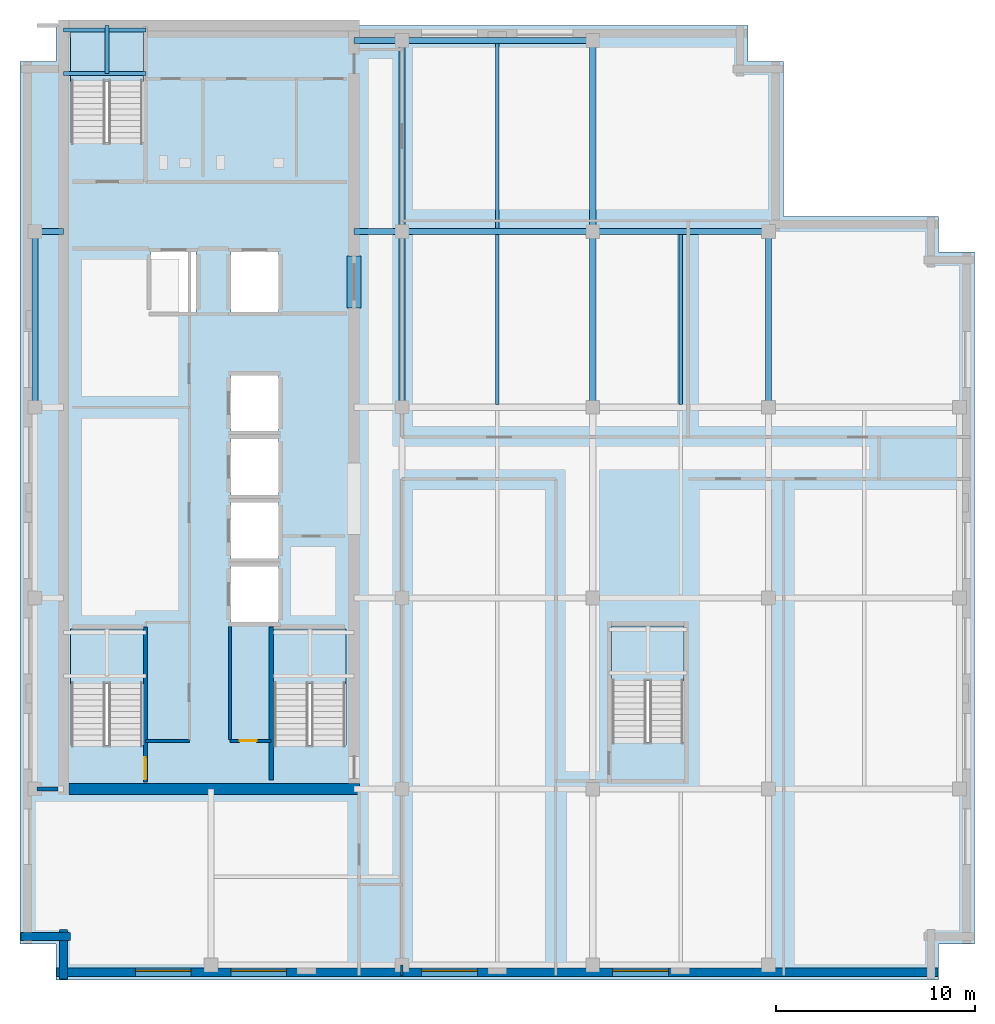
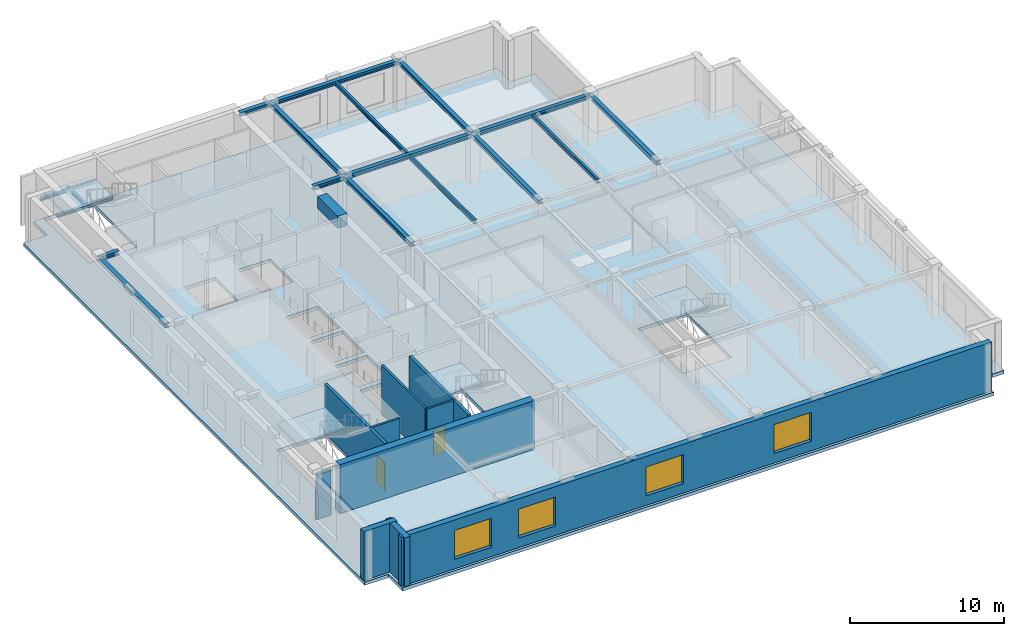
# One storey, part 2 of 10: 19 beams, 11 walls, 5 slabs, 4 windows, 2 doors, 6 openings, 4 elements without a shape of their own.
"""IFC4 building model written with IfcOpenShell, lengths in metres."""

import ifcopenshell
import ifcopenshell.guid

model = None  # the IFC model being written
_history = None  # IfcOwnerHistory: only IFC2X3 demands one
_inside = {}  # id of a spatial element -> (the spatial element, [elements in it])
_under = {}  # id of a project, library or spatial element -> (it, [spatial elements below it])
_declared = {}  # id of a project -> (the project, [libraries it declares])
_typed = {}  # id of a type object -> (the type object, [elements of that type])
_made_of = {}  # id of a material, layer set ... -> (it, [elements and type objects made of it])


def new_model(schema):
    """Start an empty IFC model of exactly this schema.

    Asked for "IFC4X3", IfcOpenShell would pick the latest addendum, in which some entities
    have other attributes; the version numbers below select the first issue.
    IFC2X3 requires an IfcOwnerHistory on every rooted entity: one is made here for all.
    """
    global model, _history
    if schema == "IFC4X3":
        model = ifcopenshell.file(schema_version=(4, 3, 0, 0))
    else:
        model = ifcopenshell.file(schema=schema)
    _inside.clear()
    _under.clear()
    _declared.clear()
    _typed.clear()
    _made_of.clear()
    _history = None
    if model.schema == "IFC2X3":
        org = make("IfcOrganization", Name="unknown")
        user = make(
            "IfcPersonAndOrganization",
            ThePerson=make("IfcPerson", FamilyName="unknown"),
            TheOrganization=org,
        )
        app = make(
            "IfcApplication",
            ApplicationDeveloper=org,
            Version="unknown",
            ApplicationFullName="unknown",
            ApplicationIdentifier="unknown",
        )
        _history = make(
            "IfcOwnerHistory",
            OwningUser=user,
            OwningApplication=app,
            ChangeAction="ADDED",
            CreationDate=0,
        )
    return model


def make(cls, **values):
    """One entity of the class cls with the attributes given. An attribute that is None is left unset."""
    return model.create_entity(
        cls, **{name: value for name, value in values.items() if value is not None}
    )


def rooted(cls, **values):
    """An entity with a GlobalId (a new one), such as an element, a storey or a relation."""
    return make(cls, GlobalId=ifcopenshell.guid.new(), OwnerHistory=_history, **values)


def si_unit(unit_type, name, prefix=None):
    """IfcSIUnit, for example si_unit("LENGTHUNIT", "METRE", prefix="MILLI")."""
    return make("IfcSIUnit", UnitType=unit_type, Prefix=prefix, Name=name)


def assignment(units):
    """IfcUnitAssignment: the units of a project."""
    return None if units is None else make("IfcUnitAssignment", Units=units)


def point(xyz):
    """IfcCartesianPoint."""
    return None if xyz is None else make("IfcCartesianPoint", Coordinates=xyz)


def direction(xyz):
    """IfcDirection."""
    return None if xyz is None else make("IfcDirection", DirectionRatios=xyz)


def frame(location, z_axis=None, x_axis=None):
    """IfcAxis2Placement3D, a coordinate frame: its origin and axes. An axis left out is left unset."""
    return make(
        "IfcAxis2Placement3D",
        Location=point(location),
        Axis=direction(z_axis),
        RefDirection=direction(x_axis),
    )


def frame_2d(location, x_axis=None):
    """IfcAxis2Placement2D, a coordinate frame in the plane: its origin and x axis."""
    return make(
        "IfcAxis2Placement2D", Location=point(location), RefDirection=direction(x_axis)
    )


def origin():
    """The frame at (0, 0, 0) with its axes left unset."""
    return frame((0.0, 0.0, 0.0))


def origin_2d():
    """The frame at (0, 0) in the plane with its x axis left unset."""
    return frame_2d((0.0, 0.0))


def place(relative_to, where):
    """IfcLocalPlacement: puts the frame where relative to a parent placement (None: the world)."""
    return make(
        "IfcLocalPlacement", PlacementRelTo=relative_to, RelativePlacement=where
    )


def context(
    kind, dimensions, precision=None, world=None, true_north=None, identifier=None
):
    """IfcGeometricRepresentationContext, for example the 3D "Model" context."""
    return make(
        "IfcGeometricRepresentationContext",
        ContextIdentifier=identifier,
        ContextType=kind,
        CoordinateSpaceDimension=dimensions,
        Precision=precision,
        WorldCoordinateSystem=world,
        TrueNorth=true_north,
    )


def subcontext(parent, identifier, kind, view, scale=None):
    """IfcGeometricRepresentationSubContext, for example "Body" below "Model"."""
    return make(
        "IfcGeometricRepresentationSubContext",
        ContextIdentifier=identifier,
        ContextType=kind,
        ParentContext=parent,
        TargetScale=scale,
        TargetView=view,
    )


def project(units=None, contexts=None):
    """IfcProject with its units and contexts."""
    return rooted(
        "IfcProject",
        Name="project",
        RepresentationContexts=contexts,
        UnitsInContext=assignment(units),
    )


def spatial(cls, under=None, at=None, **own):
    """A site, building, storey or space (cls), placed at a placement, below another one or the project."""
    s = rooted(cls, ObjectPlacement=at, **own)
    if under is not None:
        _under.setdefault(under.id(), (under, []))[1].append(s)
    return s


def polyline(points):
    """IfcPolyline through the points."""
    return make("IfcPolyline", Points=[point(p) for p in points])


def profile(cls, at=None, kind="AREA", **sizes):
    """A parametric profile (cls). Its sizes go by their IFC names, for example OverallWidth=200.0."""
    return make(cls, ProfileType=kind, Position=at, **sizes)


def rectangle(**sizes):
    """IfcRectangleProfileDef."""
    return profile("IfcRectangleProfileDef", **sizes)


def i_section(**sizes):
    """IfcIShapeProfileDef."""
    return profile("IfcIShapeProfileDef", **sizes)


def outline(outer, holes=None, kind="AREA"):
    """IfcArbitraryClosedProfileDef: a profile drawn as a closed curve; with holes, ...WithVoids."""
    if holes is None:
        return make("IfcArbitraryClosedProfileDef", ProfileType=kind, OuterCurve=outer)
    return make(
        "IfcArbitraryProfileDefWithVoids",
        ProfileType=kind,
        OuterCurve=outer,
        InnerCurves=holes,
    )


def extrude(swept, where, along, depth):
    """IfcExtrudedAreaSolid: the profile swept, set in the frame where, extruded along a direction by depth."""
    return make(
        "IfcExtrudedAreaSolid",
        SweptArea=swept,
        Position=where,
        ExtrudedDirection=direction(along),
        Depth=depth,
    )


def shape(context_of_items, identifier, shape_type, items):
    """IfcShapeRepresentation: the items that make up one representation, for example the "Body"."""
    return make(
        "IfcShapeRepresentation",
        ContextOfItems=context_of_items,
        RepresentationIdentifier=identifier,
        RepresentationType=shape_type,
        Items=items,
    )


def material(Name=None, Category=None):
    """IfcMaterial."""
    return make("IfcMaterial", Name=Name, Category=Category)


def layer(
    of_material, thickness, ventilated=None, Name=None, Category=None, Priority=None
):
    """IfcMaterialLayer: one layer of a wall or slab, of a material (None: an air gap)."""
    return make(
        "IfcMaterialLayer",
        Material=of_material,
        LayerThickness=thickness,
        IsVentilated=ventilated,
        Name=Name,
        Category=Category,
        Priority=Priority,
    )


def layer_set(layers, Name=None):
    """IfcMaterialLayerSet."""
    return make("IfcMaterialLayerSet", MaterialLayers=layers, LayerSetName=Name)


def material_profile(
    of_material, cross_section, Name=None, Category=None, Priority=None
):
    """IfcMaterialProfile: a cross section and its material."""
    return make(
        "IfcMaterialProfile",
        Name=Name,
        Material=of_material,
        Profile=cross_section,
        Priority=Priority,
        Category=Category,
    )


def profile_set(profiles, Name=None, composite=None):
    """IfcMaterialProfileSet."""
    return make(
        "IfcMaterialProfileSet",
        Name=Name,
        MaterialProfiles=profiles,
        CompositeProfile=composite,
    )


def made_of(thing, what):
    """Note that an element or type object is made of a material, layer set ...; save() writes the relation."""
    if what is not None:
        _made_of.setdefault(what.id(), (what, []))[1].append(thing)
    return thing


def type_object(cls, material=None, **own):
    """A type object (cls), such as IfcWallType, which elements share."""
    return made_of(rooted(cls, **own), material)


def element(
    cls,
    number,
    at=None,
    inside=None,
    cuts=None,
    type_object=None,
    material=None,
    context=None,
    identifier="Body",
    shape_type=None,
    held_by="IfcProductDefinitionShape",
    body=None,
    shapes=None,
    **own,
):
    """One element of the class cls, such as IfcWall. Its Tag is "e" and its number.

    at: its placement. inside: the storey or other place that contains it. cuts: it is an
    opening in that element (IfcRelVoidsElement). A single representation is given by context,
    identifier, shape_type and body (its items); several are given by shapes. held_by: the class
    of the entity that holds the representations. save() writes the other relations.
    """
    e = rooted(cls, Tag="e%d" % number, ObjectPlacement=at, **own)
    if body is not None:
        shapes = [shape(context, identifier, shape_type, body)]
    if shapes is not None:
        e.Representation = make(held_by, Representations=shapes)
    if inside is not None:
        _inside.setdefault(inside.id(), (inside, []))[1].append(e)
    if cuts is not None:
        rooted(
            "IfcRelVoidsElement", RelatingBuildingElement=cuts, RelatedOpeningElement=e
        )
    if type_object is not None:
        _typed.setdefault(type_object.id(), (type_object, []))[1].append(e)
    return made_of(e, material)


def fill(opening, filler):
    """IfcRelFillsElement: the door or window that sits in an opening."""
    return rooted(
        "IfcRelFillsElement",
        RelatingOpeningElement=opening,
        RelatedBuildingElement=filler,
    )


def aggregate(whole, parts):
    """IfcRelAggregates: a whole, such as a stair, and the parts it consists of."""
    return rooted("IfcRelAggregates", RelatingObject=whole, RelatedObjects=parts)


def save(model, path):
    """Write the relations noted so far, then the file.

    IfcRelAggregates (storeys below a building ...), IfcRelContainedInSpatialStructure (elements
    in a storey), IfcRelDefinesByType, IfcRelAssociatesMaterial and IfcRelDeclares: one each for
    every whole, place, type object, material and project.
    """
    for whole, parts in _under.values():
        aggregate(whole, parts)
    for where, things in _inside.values():
        rooted(
            "IfcRelContainedInSpatialStructure",
            RelatedElements=things,
            RelatingStructure=where,
        )
    for kind, things in _typed.values():
        rooted("IfcRelDefinesByType", RelatedObjects=things, RelatingType=kind)
    for what, things in _made_of.values():
        rooted("IfcRelAssociatesMaterial", RelatedObjects=things, RelatingMaterial=what)
    for by, libraries in _declared.values():
        rooted("IfcRelDeclares", RelatingContext=by, RelatedDefinitions=libraries)
    model.write(path)


model = new_model("IFC4")

# Units and contexts
model_context = context("Model", 3, precision=1e-05, world=origin(), true_north=direction((0.0, 1.0)))
body_context = subcontext(model_context, "Body", "Model", "MODEL_VIEW")
ifc_project = project(units=[si_unit("LENGTHUNIT", "METRE"), si_unit("AREAUNIT", "SQUARE_METRE"), si_unit("VOLUMEUNIT", "CUBIC_METRE"), si_unit("PLANEANGLEUNIT", "RADIAN"), si_unit("MASSUNIT", "GRAM", prefix="KILO")], contexts=[model_context])

# Site, building, storey
site_placement = place(None, origin())
site = spatial("IfcSite", under=ifc_project, at=site_placement, CompositionType="ELEMENT")
building_placement = place(site_placement, origin())
building = spatial("IfcBuilding", under=site, at=building_placement, Name="Norrvale University Quadrangle", CompositionType="ELEMENT")
storey_placement = place(building_placement, frame((0.0, 0.0, 303.800048828125)))
storey = spatial("IfcBuildingStorey", under=building, at=storey_placement, Name="L77", CompositionType="ELEMENT", Elevation=303.800048828125)

# Beams
ifc_material_1 = material(Name="Steel 350W", Category="steel")
ifc_material_profile_1 = material_profile(ifc_material_1, i_section(OverallWidth=0.1669921875, OverallDepth=0.31689453125, WebThickness=0.007568359375, FlangeThickness=0.01318359375, FilletRadius=0.010009765625, at=origin_2d()), Name="Steel 350W")
ifc_profile_set_1 = profile_set([ifc_material_profile_1], Name="Steel 350W")
beam_type_1 = type_object("IfcBeamType", Name="Beam Canopy Purlin W310x52", PredefinedType="USERDEFINED", material=ifc_profile_set_1)
beam_1_placement = place(storey_placement, frame((24.0, 28.952392578125, 3.721435546875), z_axis=(0.0, 1.0, 0.0), x_axis=(-1.0, 0.0, 0.0)))
element("IfcBeam", 1, at=beam_1_placement, inside=storey, type_object=beam_type_1, Name="Beam Canopy Purlin W310x52 BM-L77-J047", ObjectType="PURLIN", PredefinedType="USERDEFINED", context=body_context, shape_type="SweptSolid", body=[
    extrude(i_section(OverallWidth=0.1669921875, OverallDepth=0.31689453125, WebThickness=0.007568359375, FlangeThickness=0.01318359375, FilletRadius=0.010009765625, at=origin_2d()), origin(), (0.0, 0.0, 1.0), 8.545166015625),
])
beam_2_placement = place(storey_placement, frame((24.0, 37.802490234375, 3.721435546875), z_axis=(0.0, 1.0, 0.0), x_axis=(-1.0, 0.0, 0.0)))
element("IfcBeam", 2, at=beam_2_placement, inside=storey, type_object=beam_type_1, Name="Beam Canopy Purlin W310x52 BM-L77-J048", ObjectType="PURLIN", PredefinedType="USERDEFINED", context=body_context, shape_type="SweptSolid", body=[
    extrude(i_section(OverallWidth=0.1669921875, OverallDepth=0.31689453125, WebThickness=0.007568359375, FlangeThickness=0.01318359375, FilletRadius=0.010009765625, at=origin_2d()), origin(), (0.0, 0.0, 1.0), 9.294921875),
])
beam_3_placement = place(storey_placement, frame((33.22509765625, 28.952392578125, 3.721435546875), z_axis=(0.0, 1.0, 0.0), x_axis=(-1.0, 0.0, 0.0)))
element("IfcBeam", 3, at=beam_3_placement, inside=storey, type_object=beam_type_1, Name="Beam Canopy Purlin W310x52 BM-L77-J051", ObjectType="PURLIN", PredefinedType="USERDEFINED", context=body_context, shape_type="SweptSolid", body=[
    extrude(i_section(OverallWidth=0.1669921875, OverallDepth=0.31689453125, WebThickness=0.007568359375, FlangeThickness=0.01318359375, FilletRadius=0.010009765625, at=origin_2d()), origin(), (0.0, 0.0, 1.0), 8.545166015625),
])
ifc_material_profile_2 = material_profile(ifc_material_1, i_section(OverallWidth=0.304931640625, OverallDepth=0.30810546875, WebThickness=0.010009765625, FlangeThickness=0.015380859375, FilletRadius=0.014892578125, at=origin_2d()), Name="Steel 350W")
ifc_profile_set_2 = profile_set([ifc_material_profile_2], Name="Steel 350W")
beam_type_2 = type_object("IfcBeamType", Name="Beam Canopy W310x97", PredefinedType="BEAM", material=ifc_profile_set_2)
beam_4_placement = place(storey_placement, frame((19.199951171875, 37.64990234375, 3.725830078125), z_axis=(1.0, 0.0, 0.0), x_axis=(0.0, 1.0, 0.0)))
element("IfcBeam", 4, at=beam_4_placement, inside=storey, type_object=beam_type_2, Name="Beam Canopy W310x97 BM-L77-GX013", PredefinedType="BEAM", context=body_context, shape_type="SweptSolid", body=[
    extrude(i_section(OverallWidth=0.304931640625, OverallDepth=0.30810546875, WebThickness=0.010009765625, FlangeThickness=0.015380859375, FilletRadius=0.014892578125, at=origin_2d()), origin(), (0.0, 0.0, 1.0), 9.60009765625),
])
beam_5_placement = place(storey_placement, frame((28.800048828125, 37.64990234375, 3.725830078125), z_axis=(1.0, 0.0, 0.0), x_axis=(0.0, 1.0, 0.0)))
element("IfcBeam", 5, at=beam_5_placement, inside=storey, type_object=beam_type_2, Name="Beam Canopy W310x97 BM-L77-GX014", PredefinedType="BEAM", context=body_context, shape_type="SweptSolid", body=[
    extrude(i_section(OverallWidth=0.304931640625, OverallDepth=0.30810546875, WebThickness=0.010009765625, FlangeThickness=0.015380859375, FilletRadius=0.014892578125, at=origin_2d()), origin(), (0.0, 0.0, 1.0), 8.849853515625),
])
beam_6_placement = place(storey_placement, frame((19.199951171875, 47.25, 3.725830078125), z_axis=(1.0, 0.0, 0.0), x_axis=(0.0, 1.0, 0.0)))
element("IfcBeam", 6, at=beam_6_placement, inside=storey, type_object=beam_type_2, Name="Beam Canopy W310x97 BM-L77-GX015", PredefinedType="BEAM", context=body_context, shape_type="SweptSolid", body=[
    extrude(i_section(OverallWidth=0.304931640625, OverallDepth=0.30810546875, WebThickness=0.010009765625, FlangeThickness=0.015380859375, FilletRadius=0.014892578125, at=origin_2d()), origin(), (0.0, 0.0, 1.0), 9.60009765625),
])
for number, where, z_axis, x_axis, name in (
    (7, (0.75, 28.800048828125, 3.725830078125), (0.0, 1.0, 0.0), (-1.0, 0.0, 0.0), "Beam Canopy W310x97 BM-L77-GY018"),
    (8, (19.199951171875, 28.800048828125, 3.725830078125), (0.0, 1.0, 0.0), (-1.0, 0.0, 0.0), "Beam Canopy W310x97 BM-L77-GY022"),
):
    element("IfcBeam", number, at=place(storey_placement, frame(where, z_axis=z_axis, x_axis=x_axis)), inside=storey, type_object=beam_type_2, Name=name, PredefinedType="BEAM", context=body_context, shape_type="SweptSolid", body=[
        extrude(i_section(OverallWidth=0.304931640625, OverallDepth=0.30810546875, WebThickness=0.010009765625, FlangeThickness=0.015380859375, FilletRadius=0.014892578125, at=origin_2d()), origin(), (0.0, 0.0, 1.0), 8.849853515625),
    ])
beam_7_placement = place(storey_placement, frame((19.199951171875, 37.64990234375, 3.725830078125), z_axis=(0.0, 1.0, 0.0), x_axis=(-1.0, 0.0, 0.0)))
element("IfcBeam", 9, at=beam_7_placement, inside=storey, type_object=beam_type_2, Name="Beam Canopy W310x97 BM-L77-GY023", PredefinedType="BEAM", context=body_context, shape_type="SweptSolid", body=[
    extrude(i_section(OverallWidth=0.304931640625, OverallDepth=0.30810546875, WebThickness=0.010009765625, FlangeThickness=0.015380859375, FilletRadius=0.014892578125, at=origin_2d()), origin(), (0.0, 0.0, 1.0), 9.60009765625),
])
beam_8_placement = place(storey_placement, frame((28.800048828125, 28.800048828125, 3.725830078125), z_axis=(0.0, 1.0, 0.0), x_axis=(-1.0, 0.0, 0.0)))
element("IfcBeam", 10, at=beam_8_placement, inside=storey, type_object=beam_type_2, Name="Beam Canopy W310x97 BM-L77-GY027", PredefinedType="BEAM", context=body_context, shape_type="SweptSolid", body=[
    extrude(i_section(OverallWidth=0.304931640625, OverallDepth=0.30810546875, WebThickness=0.010009765625, FlangeThickness=0.015380859375, FilletRadius=0.014892578125, at=origin_2d()), origin(), (0.0, 0.0, 1.0), 8.849853515625),
])
beam_9_placement = place(storey_placement, frame((28.800048828125, 37.64990234375, 3.725830078125), z_axis=(0.0, 1.0, 0.0), x_axis=(-1.0, 0.0, 0.0)))
element("IfcBeam", 11, at=beam_9_placement, inside=storey, type_object=beam_type_2, Name="Beam Canopy W310x97 BM-L77-GY028", PredefinedType="BEAM", context=body_context, shape_type="SweptSolid", body=[
    extrude(i_section(OverallWidth=0.304931640625, OverallDepth=0.30810546875, WebThickness=0.010009765625, FlangeThickness=0.015380859375, FilletRadius=0.014892578125, at=origin_2d()), origin(), (0.0, 0.0, 1.0), 9.60009765625),
])
beam_10_placement = place(storey_placement, frame((37.64990234375, 28.800048828125, 3.725830078125), z_axis=(0.0, 1.0, 0.0), x_axis=(-1.0, 0.0, 0.0)))
element("IfcBeam", 12, at=beam_10_placement, inside=storey, type_object=beam_type_2, Name="Beam Canopy W310x97 BM-L77-GY032", PredefinedType="BEAM", context=body_context, shape_type="SweptSolid", body=[
    extrude(i_section(OverallWidth=0.304931640625, OverallDepth=0.30810546875, WebThickness=0.010009765625, FlangeThickness=0.015380859375, FilletRadius=0.014892578125, at=origin_2d()), origin(), (0.0, 0.0, 1.0), 8.849853515625),
])
beam_11_placement = place(storey_placement, frame((0.75, 37.64990234375, 3.725830078125), z_axis=(1.0, 0.0, 0.0), x_axis=(0.0, 1.0, 0.0)))
element("IfcBeam", 13, at=beam_11_placement, inside=storey, type_object=beam_type_2, Name="Beam Canopy W310x97 BM-L77-GCW041", PredefinedType="BEAM", context=body_context, shape_type="SweptSolid", body=[
    extrude(i_section(OverallWidth=0.304931640625, OverallDepth=0.30810546875, WebThickness=0.010009765625, FlangeThickness=0.015380859375, FilletRadius=0.014892578125, at=origin_2d()), origin(), (0.0, 0.0, 1.0), 1.449951171875),
])
for number, where, z_axis, x_axis, name in (
    (14, (16.800048828125, 37.64990234375, 3.725830078125), (1.0, 0.0, 0.0), (0.0, 1.0, 0.0), "Beam Canopy W310x97 BM-L77-GCE042"),
    (15, (16.800048828125, 47.25, 3.725830078125), (1.0, 0.0, 0.0), (0.0, 1.0, 0.0), "Beam Canopy W310x97 BM-L77-GCE043"),
):
    element("IfcBeam", number, at=place(storey_placement, frame(where, z_axis=z_axis, x_axis=x_axis)), inside=storey, type_object=beam_type_2, Name=name, PredefinedType="BEAM", context=body_context, shape_type="SweptSolid", body=[
        extrude(i_section(OverallWidth=0.304931640625, OverallDepth=0.30810546875, WebThickness=0.010009765625, FlangeThickness=0.015380859375, FilletRadius=0.014892578125, at=origin_2d()), origin(), (0.0, 0.0, 1.0), 2.39990234375),
    ])
ifc_material_2 = material(Name="Concrete C80/95", Category="concrete")
ifc_material_profile_3 = material_profile(ifc_material_2, rectangle(XDim=0.699951171875, YDim=0.949951171875, at=origin_2d()), Name="Concrete C80/95")
ifc_profile_set_3 = profile_set([ifc_material_profile_3], Name="Concrete C80/95")
beam_type_3 = type_object("IfcBeamType", Name="Beam Core Link 700x950", PredefinedType="LINTEL", material=ifc_profile_set_3)
beam_12_placement = place(storey_placement, frame((16.800048828125, 33.800048828125, 3.405029296875), z_axis=(0.0, 1.0, 0.0), x_axis=(-1.0, 0.0, 0.0)))
element("IfcBeam", 16, at=beam_12_placement, inside=storey, type_object=beam_type_3, Name="Core Coupling Lintel Beam L77-2", PredefinedType="LINTEL", context=body_context, shape_type="SweptSolid", body=[
    extrude(rectangle(XDim=0.699951171875, YDim=0.949951171875, at=origin_2d()), origin(), (0.0, 0.0, 1.0), 2.599853515625),
])
ifc_material_profile_4 = material_profile(ifc_material_1, i_section(OverallWidth=0.201904296875, OverallDepth=0.2470703125, WebThickness=0.00732421875, FlangeThickness=0.010986328125, FilletRadius=0.011962890625, at=origin_2d()), Name="Steel 350W")
ifc_profile_set_4 = profile_set([ifc_material_profile_4], Name="Steel 350W")
beam_type_4 = type_object("IfcBeamType", Name="Beam Stair W250x49", PredefinedType="BEAM", material=ifc_profile_set_4)
for number, where, z_axis, x_axis, name in (
    (17, (2.199951171875, 45.580078125, 1.7763671875), (1.0, 0.0, 0.0), (0.0, 1.0, 0.0), "Stair Mid-Landing Front Beam ST-02 L77"),
    (18, (2.199951171875, 47.77001953125, 1.7763671875), (1.0, 0.0, 0.0), (0.0, 1.0, 0.0), "Stair Mid-Landing Rear Beam ST-02 L77"),
):
    element("IfcBeam", number, at=place(storey_placement, frame(where, z_axis=z_axis, x_axis=x_axis)), inside=storey, type_object=beam_type_4, Name=name, PredefinedType="BEAM", context=body_context, shape_type="SweptSolid", body=[
        extrude(i_section(OverallWidth=0.201904296875, OverallDepth=0.2470703125, WebThickness=0.00732421875, FlangeThickness=0.010986328125, FilletRadius=0.011962890625, at=origin_2d()), origin(), (0.0, 0.0, 1.0), 4.14013671875),
    ])
ifc_material_profile_5 = material_profile(ifc_material_1, i_section(OverallWidth=0.202880859375, OverallDepth=0.202880859375, WebThickness=0.007080078125, FlangeThickness=0.010986328125, FilletRadius=0.010009765625, at=origin_2d()), Name="Steel 350W")
ifc_profile_set_5 = profile_set([ifc_material_profile_5], Name="Steel 350W")
beam_type_5 = type_object("IfcBeamType", Name="Beam Trim W200x46", PredefinedType="BEAM", material=ifc_profile_set_5)
beam_13_placement = place(storey_placement, frame((4.375, 45.580078125, 1.79833984375), z_axis=(0.0, 1.0, 0.0), x_axis=(-1.0, 0.0, 0.0)))
element("IfcBeam", 19, at=beam_13_placement, inside=storey, type_object=beam_type_5, Name="Stair Mid-Landing Cross Beam ST-02 L77", PredefinedType="BEAM", context=body_context, shape_type="SweptSolid", body=[
    extrude(i_section(OverallWidth=0.202880859375, OverallDepth=0.202880859375, WebThickness=0.007080078125, FlangeThickness=0.010986328125, FilletRadius=0.010009765625, at=origin_2d()), origin(), (0.0, 0.0, 1.0), 2.419921875),
])

# Stair, slab
ifc_material_3 = material(Name="Concrete C40/50", Category="concrete")
stair_type = type_object("IfcStairType", Name="Stair Tower Top 4200", PredefinedType="TWO_STRAIGHT_RUN_STAIR", material=ifc_material_3)
stair_1_placement = place(storey_placement, origin())
stair_1 = element("IfcStair", 20, at=stair_1_placement, inside=storey, type_object=stair_type, Name="Exit Stair ST-01 L77", PredefinedType="TWO_STRAIGHT_RUN_STAIR")
ifc_layer_1 = layer(ifc_material_3, 0.199951171875, Name="Concrete C40/50")
ifc_layer_set_1 = layer_set([ifc_layer_1], Name="Concrete C40/50")
slab_type_1 = type_object("IfcSlabType", Name="Slab Landing 200", PredefinedType="LANDING", material=ifc_layer_set_1)
slab_1_placement = place(storey_placement, frame((0.0, 0.0, 1.89990234375)))
slab_1 = element("IfcSlab", 21, at=slab_1_placement, type_object=slab_type_1, Name="Exit Stair ST-01 L77 Mid Landing", PredefinedType="LANDING", context=body_context, shape_type="SweptSolid", body=[
    extrude(outline(polyline([(2.550048828125, 14.8798828125), (6.199951171875, 14.8798828125), (6.199951171875, 17.64990234375), (2.550048828125, 17.64990234375), (2.550048828125, 14.8798828125)])), origin(), (0.0, 0.0, 1.0), 0.199951171875),
])
aggregate(stair_1, [slab_1])

stair_2_placement = place(storey_placement, origin())
stair_2 = element("IfcStair", 22, at=stair_2_placement, inside=storey, type_object=stair_type, Name="Exit Stair ST-02 L77", PredefinedType="TWO_STRAIGHT_RUN_STAIR")
slab_2_placement = place(storey_placement, frame((0.0, 0.0, 1.89990234375)))
slab_2 = element("IfcSlab", 23, at=slab_2_placement, type_object=slab_type_1, Name="Exit Stair ST-02 L77 Mid Landing", PredefinedType="LANDING", context=body_context, shape_type="SweptSolid", body=[
    extrude(outline(polyline([(2.550048828125, 45.179931640625), (6.199951171875, 45.179931640625), (6.199951171875, 47.949951171875), (2.550048828125, 47.949951171875), (2.550048828125, 45.179931640625)])), origin(), (0.0, 0.0, 1.0), 0.199951171875),
])
aggregate(stair_2, [slab_2])

stair_3_placement = place(storey_placement, origin())
stair_3 = element("IfcStair", 24, at=stair_3_placement, inside=storey, type_object=stair_type, Name="Exit Stair ST-03 L77", PredefinedType="TWO_STRAIGHT_RUN_STAIR")
slab_3_placement = place(storey_placement, frame((0.0, 0.0, 1.89990234375)))
slab_3 = element("IfcSlab", 25, at=slab_3_placement, type_object=slab_type_1, Name="Exit Stair ST-03 L77 Mid Landing", PredefinedType="LANDING", context=body_context, shape_type="SweptSolid", body=[
    extrude(outline(polyline([(12.75, 14.8798828125), (16.39990234375, 14.8798828125), (16.39990234375, 17.64990234375), (12.75, 17.64990234375), (12.75, 14.8798828125)])), origin(), (0.0, 0.0, 1.0), 0.199951171875),
])
aggregate(stair_3, [slab_3])

stair_4_placement = place(storey_placement, origin())
stair_4 = element("IfcStair", 26, at=stair_4_placement, inside=storey, type_object=stair_type, Name="Exit Stair ST-04 L77", PredefinedType="TWO_STRAIGHT_RUN_STAIR")
slab_4_placement = place(storey_placement, frame((0.0, 0.0, 1.89990234375)))
slab_4 = element("IfcSlab", 27, at=slab_4_placement, type_object=slab_type_1, Name="Exit Stair ST-04 L77 Mid Landing", PredefinedType="LANDING", context=body_context, shape_type="SweptSolid", body=[
    extrude(outline(polyline([(29.75, 15.030029296875), (33.39990234375, 15.030029296875), (33.39990234375, 17.800048828125), (29.75, 17.800048828125), (29.75, 15.030029296875)])), origin(), (0.0, 0.0, 1.0), 0.199951171875),
])
aggregate(stair_4, [slab_4])

# Slab
ifc_layer_2 = layer(ifc_material_3, 0.260009765625, Name="Concrete C40/50")
ifc_layer_set_2 = layer_set([ifc_layer_2], Name="Concrete C40/50")
slab_type_2 = type_object("IfcSlabType", Name="Slab Tower Typ 260", PredefinedType="FLOOR", material=ifc_layer_set_2)
slab_5_placement = place(storey_placement, frame((0.0, 0.0, -0.260009765625)))
element("IfcSlab", 28, at=slab_5_placement, inside=storey, type_object=slab_type_2, Name="Tower L77 Floor Slab", PredefinedType="FLOOR", context=body_context, shape_type="SweptSolid", body=[
    extrude(outline(polyline([(1.800048828125, 0.0), (46.199951171875, 0.0), (46.199951171875, 1.800048828125), (48.0, 1.800048828125), (48.0, 36.60009765625), (46.199951171875, 36.60009765625), (46.199951171875, 38.39990234375), (38.39990234375, 38.39990234375), (38.39990234375, 46.199951171875), (36.60009765625, 46.199951171875), (36.60009765625, 48.0), (1.800048828125, 48.0), (1.800048828125, 46.199951171875), (0.0, 46.199951171875), (0.0, 1.800048828125), (1.800048828125, 1.800048828125), (1.800048828125, 0.0)]), holes=[polyline([(2.550048828125, 11.81005859375), (6.199951171875, 11.81005859375), (6.199951171875, 17.64990234375), (2.550048828125, 17.64990234375), (2.550048828125, 11.81005859375)]), polyline([(2.550048828125, 42.110107421875), (6.199951171875, 42.110107421875), (6.199951171875, 47.949951171875), (2.550048828125, 47.949951171875), (2.550048828125, 42.110107421875)]), polyline([(12.75, 11.81005859375), (16.39990234375, 11.81005859375), (16.39990234375, 17.64990234375), (12.75, 17.64990234375), (12.75, 11.81005859375)]), polyline([(29.75, 11.9599609375), (33.39990234375, 11.9599609375), (33.39990234375, 17.800048828125), (29.75, 17.800048828125), (29.75, 11.9599609375)]), polyline([(10.60009765625, 18.0), (13.0, 18.0), (13.0, 20.800048828125), (10.60009765625, 20.800048828125), (10.60009765625, 18.0)]), polyline([(10.60009765625, 21.199951171875), (13.0, 21.199951171875), (13.0, 24.0), (10.60009765625, 24.0), (10.60009765625, 21.199951171875)]), polyline([(10.60009765625, 24.39990234375), (13.0, 24.39990234375), (13.0, 27.199951171875), (10.60009765625, 27.199951171875), (10.60009765625, 24.39990234375)]), polyline([(10.60009765625, 27.60009765625), (13.0, 27.60009765625), (13.0, 30.39990234375), (10.60009765625, 30.39990234375), (10.60009765625, 27.60009765625)]), polyline([(6.60009765625, 33.60009765625), (8.85009765625, 33.60009765625), (8.85009765625, 36.60009765625), (6.60009765625, 36.60009765625), (6.60009765625, 33.60009765625)]), polyline([(10.60009765625, 33.60009765625), (13.0, 33.60009765625), (13.0, 36.60009765625), (10.60009765625, 36.60009765625), (10.60009765625, 33.60009765625)])]), origin(), (0.0, 0.0, 1.0), 0.260009765625),
])

# Wall, openings, windows
ifc_material_4 = material(Name="Buff Norman Clay Brick Masonry", Category="masonry")
ifc_layer_3 = layer(ifc_material_4, 0.419921875, Name="Buff Norman Clay Brick Masonry")
ifc_layer_set_3 = layer_set([ifc_layer_3], Name="Buff Norman Clay Brick Masonry")
wall_type_1 = type_object("IfcWallType", Name="Wall Buff Brick 420", PredefinedType="SOLIDWALL", material=ifc_layer_set_3)
wall_1_placement = place(storey_placement, frame((1.840087890625, 0.389892578125, 0.0), z_axis=(0.0, 0.0, 1.0), x_axis=(1.0, 0.0, 0.0)))
wall_1 = element("IfcWall", 29, at=wall_1_placement, inside=storey, type_object=wall_type_1, Name="Exterior Brick Facade Wall L77-01.1", PredefinedType="SOLIDWALL", context=body_context, shape_type="SweptSolid", body=[
    extrude(rectangle(XDim=44.31982421875, YDim=0.419921875, at=frame_2d((22.159912109375, 0.0))), origin(), (0.0, 0.0, 1.0), 3.8798828125),
])
opening_1_placement = place(wall_1_placement, frame((3.9599609375, 0.0, 0.75)))
opening_1 = element("IfcOpeningElement", 30, at=opening_1_placement, cuts=wall_1, Name="Opening W05", PredefinedType="OPENING", context=body_context, shape_type="SweptSolid", body=[
    extrude(rectangle(XDim=2.800048828125, YDim=2.300048828125, at=frame_2d((1.39990234375, 1.14990234375))), frame((0.0, 0.221923828125, 0.0), z_axis=(0.0, -1.0, 0.0), x_axis=(1.0, 0.0, 0.0)), (0.0, 0.0, 1.0), 0.44384765625),
])
opening_2_placement = place(wall_1_placement, frame((8.760009765625, 0.0, 0.75)))
opening_2 = element("IfcOpeningElement", 31, at=opening_2_placement, cuts=wall_1, Name="Opening W05", PredefinedType="OPENING", context=body_context, shape_type="SweptSolid", body=[
    extrude(rectangle(XDim=2.800048828125, YDim=2.300048828125, at=frame_2d((1.39990234375, 1.14990234375))), frame((0.0, 0.221923828125, 0.0), z_axis=(0.0, -1.0, 0.0), x_axis=(1.0, 0.0, 0.0)), (0.0, 0.0, 1.0), 0.44384765625),
])
opening_3_placement = place(wall_1_placement, frame((18.360107421875, 0.0, 0.75)))
opening_3 = element("IfcOpeningElement", 32, at=opening_3_placement, cuts=wall_1, Name="Opening W05", PredefinedType="OPENING", context=body_context, shape_type="SweptSolid", body=[
    extrude(rectangle(XDim=2.800048828125, YDim=2.300048828125, at=frame_2d((1.39990234375, 1.14990234375))), frame((0.0, 0.221923828125, 0.0), z_axis=(0.0, -1.0, 0.0), x_axis=(1.0, 0.0, 0.0)), (0.0, 0.0, 1.0), 0.44384765625),
])
opening_4_placement = place(wall_1_placement, frame((27.9599609375, 0.0, 0.75)))
opening_4 = element("IfcOpeningElement", 33, at=opening_4_placement, cuts=wall_1, Name="Opening W05", PredefinedType="OPENING", context=body_context, shape_type="SweptSolid", body=[
    extrude(rectangle(XDim=2.800048828125, YDim=2.300048828125, at=frame_2d((1.39990234375, 1.14990234375))), frame((0.0, 0.221923828125, 0.0), z_axis=(0.0, -1.0, 0.0), x_axis=(1.0, 0.0, 0.0)), (0.0, 0.0, 1.0), 0.44384765625),
])
ifc_material_5 = material(Name="Bird-Friendly Fritted Triple Glazing", Category="glass")
window_type = type_object("IfcWindowType", Name="Window Podium 2800x2800", PartitioningType="TRIPLE_PANEL_VERTICAL", PredefinedType="WINDOW", material=ifc_material_5)
window_1_placement = place(opening_1_placement, origin())
window_1 = element("IfcWindow", 34, at=window_1_placement, inside=storey, type_object=window_type, Name="Window Podium 2800x2800 WIN-L77-E01-1-01", OverallHeight=2.300048828125, OverallWidth=2.800048828125, PartitioningType="TRIPLE_PANEL_VERTICAL", PredefinedType="WINDOW", context=body_context, shape_type="SweptSolid", body=[
    extrude(rectangle(XDim=2.800048828125, YDim=2.300048828125, at=frame_2d((1.39990234375, 1.14990234375))), frame((0.0, 0.110107421875, 0.0), z_axis=(0.0, -1.0, 0.0), x_axis=(1.0, 0.0, 0.0)), (0.0, 0.0, 1.0), 0.06005859375),
])
fill(opening_1, window_1)
window_2_placement = place(opening_2_placement, origin())
window_2 = element("IfcWindow", 35, at=window_2_placement, inside=storey, type_object=window_type, Name="Window Podium 2800x2800 WIN-L77-E01-1-02", OverallHeight=2.300048828125, OverallWidth=2.800048828125, PartitioningType="TRIPLE_PANEL_VERTICAL", PredefinedType="WINDOW", context=body_context, shape_type="SweptSolid", body=[
    extrude(rectangle(XDim=2.800048828125, YDim=2.300048828125, at=frame_2d((1.39990234375, 1.14990234375))), frame((0.0, 0.110107421875, 0.0), z_axis=(0.0, -1.0, 0.0), x_axis=(1.0, 0.0, 0.0)), (0.0, 0.0, 1.0), 0.06005859375),
])
fill(opening_2, window_2)
window_3_placement = place(opening_3_placement, origin())
window_3 = element("IfcWindow", 36, at=window_3_placement, inside=storey, type_object=window_type, Name="Window Podium 2800x2800 WIN-L77-E01-1-03", OverallHeight=2.300048828125, OverallWidth=2.800048828125, PartitioningType="TRIPLE_PANEL_VERTICAL", PredefinedType="WINDOW", context=body_context, shape_type="SweptSolid", body=[
    extrude(rectangle(XDim=2.800048828125, YDim=2.300048828125, at=frame_2d((1.39990234375, 1.14990234375))), frame((0.0, 0.110107421875, 0.0), z_axis=(0.0, -1.0, 0.0), x_axis=(1.0, 0.0, 0.0)), (0.0, 0.0, 1.0), 0.06005859375),
])
fill(opening_3, window_3)
window_4_placement = place(opening_4_placement, origin())
window_4 = element("IfcWindow", 37, at=window_4_placement, inside=storey, type_object=window_type, Name="Window Podium 2800x2800 WIN-L77-E01-1-04", OverallHeight=2.300048828125, OverallWidth=2.800048828125, PartitioningType="TRIPLE_PANEL_VERTICAL", PredefinedType="WINDOW", context=body_context, shape_type="SweptSolid", body=[
    extrude(rectangle(XDim=2.800048828125, YDim=2.300048828125, at=frame_2d((1.39990234375, 1.14990234375))), frame((0.0, 0.110107421875, 0.0), z_axis=(0.0, -1.0, 0.0), x_axis=(1.0, 0.0, 0.0)), (0.0, 0.0, 1.0), 0.06005859375),
])
fill(opening_4, window_4)

# Walls
for number, where, z_axis, x_axis, name in (
    (38, (0.0400390625, 2.18994140625, 0.0), (0.0, 0.0, 1.0), (1.0, 0.0, 0.0), "Exterior Brick Facade Wall L77-15.1"),
    (39, (2.18994140625, 2.5400390625, 0.0), (0.0, 0.0, 1.0), (0.0, -1.0, 0.0), "Exterior Brick Facade Wall L77-16.1"),
):
    element("IfcWall", number, at=place(storey_placement, frame(where, z_axis=z_axis, x_axis=x_axis)), inside=storey, type_object=wall_type_1, Name=name, PredefinedType="SOLIDWALL", context=body_context, shape_type="SweptSolid", body=[
        extrude(rectangle(XDim=2.5, YDim=0.419921875, at=frame_2d((1.25, 0.0))), origin(), (0.0, 0.0, 1.0), 3.8798828125),
    ])
ifc_material_6 = material(Name="Concrete C60/75", Category="concrete")
ifc_layer_4 = layer(ifc_material_6, 0.550048828125, Name="Concrete C60/75")
ifc_layer_set_4 = layer_set([ifc_layer_4], Name="Concrete C60/75")
wall_type_2 = type_object("IfcWallType", Name="Wall Core 550", PredefinedType="SHEAR", material=ifc_layer_set_4)
wall_2_placement = place(storey_placement, frame((2.47509765625, 9.60009765625, 0.0), z_axis=(0.0, 0.0, 1.0), x_axis=(1.0, 0.0, 0.0)))
element("IfcWall", 40, at=wall_2_placement, inside=storey, type_object=wall_type_2, Name="Tower Core Shear Wall L77-S", PredefinedType="SHEAR", context=body_context, shape_type="SweptSolid", body=[
    extrude(rectangle(XDim=14.599853515625, YDim=0.550048828125, at=frame_2d((7.2998046875, 0.0))), origin(), (0.0, 0.0, 1.0), 3.8798828125),
])
ifc_material_7 = material(Name="Standard Academic Gypsum Partition")
ifc_layer_5 = layer(ifc_material_7, 0.125, Name="Standard Academic Gypsum Partition")
ifc_layer_set_5 = layer_set([ifc_layer_5], Name="Standard Academic Gypsum Partition")
wall_type_3 = type_object("IfcWallType", Name="Wall Gypsum Academic 125", PredefinedType="PARTITIONING", material=ifc_layer_set_5)
wall_3_placement = place(storey_placement, frame((19.199951171875, 0.219970703125, 0.0), z_axis=(0.0, 0.0, 1.0), x_axis=(0.0, 1.0, 0.0)))
element("IfcWall", 41, at=wall_3_placement, inside=storey, type_object=wall_type_3, Name="Interior Partition WL-L77-SE-W0", PredefinedType="PARTITIONING", context=body_context, shape_type="SweptSolid", body=[
    extrude(rectangle(XDim=0.530029296875, YDim=0.125, at=frame_2d((0.26513671875, 0.0))), origin(), (0.0, 0.0, 1.0), 3.8798828125),
])

# Wall, opening, door
ifc_material_8 = material(Name="Fire-Rated Gypsum Stud Partition")
ifc_layer_6 = layer(ifc_material_8, 0.14990234375, Name="Fire-Rated Gypsum Stud Partition")
ifc_layer_set_6 = layer_set([ifc_layer_6], Name="Fire-Rated Gypsum Stud Partition")
wall_type_4 = type_object("IfcWallType", Name="Wall Gypsum Corridor 150", PredefinedType="PARTITIONING", material=ifc_layer_set_6)
wall_4_placement = place(storey_placement, frame((10.550048828125, 12.02001953125, 0.0), z_axis=(0.0, 0.0, 1.0), x_axis=(1.0, 0.0, 0.0)))
wall_4 = element("IfcWall", 42, at=wall_4_placement, inside=storey, type_object=wall_type_4, Name="Interior Partition WL-L77-SC-NR", PredefinedType="PARTITIONING", context=body_context, shape_type="SweptSolid", body=[
    extrude(rectangle(XDim=2.079833984375, YDim=0.14990234375, at=frame_2d((1.0400390625, 0.0))), origin(), (0.0, 0.0, 1.0), 3.8798828125),
])
opening_5_placement = place(wall_4_placement, frame((0.5, 0.0, 0.0)))
opening_5 = element("IfcOpeningElement", 43, at=opening_5_placement, cuts=wall_4, Name="Opening D10", PredefinedType="OPENING", context=body_context, shape_type="SweptSolid", body=[
    extrude(rectangle(XDim=0.85009765625, YDim=2.10009765625, at=frame_2d((0.425048828125, 1.050048828125))), frame((0.0, 0.0869140625, 0.0), z_axis=(0.0, -1.0, 0.0), x_axis=(1.0, 0.0, 0.0)), (0.0, 0.0, 1.0), 0.173828125),
])
ifc_material_9 = material(Name="Hollow Steel 350W Riser Fire Door", Category="steel")
door_type_1 = type_object("IfcDoorType", Name="Door Riser 850x2100", OperationType="NOTDEFINED", PredefinedType="DOOR", material=ifc_material_9)
door_1_placement = place(opening_5_placement, origin())
door_1 = element("IfcDoor", 44, at=door_1_placement, inside=storey, type_object=door_type_1, Name="Door Riser 850x2100 DR-L77-IDF", OperationType="SINGLE_SWING_RIGHT", OverallHeight=2.10009765625, OverallWidth=0.85009765625, PredefinedType="DOOR", context=body_context, shape_type="SweptSolid", body=[
    extrude(rectangle(XDim=0.85009765625, YDim=2.10009765625, at=frame_2d((0.425048828125, 1.050048828125))), frame((0.0, 0.02490234375, 0.0), z_axis=(0.0, -1.0, 0.0), x_axis=(1.0, 0.0, 0.0)), (0.0, 0.0, 1.0), 0.050048828125),
])
fill(opening_5, door_1)

# Walls
wall_5_placement = place(storey_placement, frame((10.550048828125, 12.094970703125, 0.0), z_axis=(0.0, 0.0, 1.0), x_axis=(0.0, 1.0, 0.0)))
element("IfcWall", 45, at=wall_5_placement, inside=storey, type_object=wall_type_4, Name="Interior Partition WL-L77-SC-WR", PredefinedType="PARTITIONING", context=body_context, shape_type="SweptSolid", body=[
    extrude(rectangle(XDim=5.679931640625, YDim=0.14990234375, at=frame_2d((2.83984375, 0.0))), origin(), (0.0, 0.0, 1.0), 3.8798828125),
])
wall_6_placement = place(storey_placement, frame((6.320068359375, 12.02001953125, 0.0), z_axis=(0.0, 0.0, 1.0), x_axis=(1.0, 0.0, 0.0)))
element("IfcWall", 46, at=wall_6_placement, inside=storey, type_object=wall_type_4, Name="Interior Partition WL-L77-REC-S", PredefinedType="PARTITIONING", context=body_context, shape_type="SweptSolid", body=[
    extrude(rectangle(XDim=2.199951171875, YDim=0.14990234375, at=frame_2d((1.10009765625, 0.0))), origin(), (0.0, 0.0, 1.0), 3.8798828125),
])
ifc_material_10 = material(Name="Concrete Blockwork 20 MPa Rated Wall", Category="masonry")
ifc_layer_7 = layer(ifc_material_10, 0.199951171875, Name="Concrete Blockwork 20 MPa Rated Wall")
ifc_layer_set_7 = layer_set([ifc_layer_7], Name="Concrete Blockwork 20 MPa Rated Wall")
wall_type_5 = type_object("IfcWallType", Name="Wall Lobby 200", PredefinedType="SOLIDWALL", material=ifc_layer_set_7)
wall_7_placement = place(storey_placement, frame((0.85009765625, 9.60009765625, 0.0), z_axis=(0.0, 0.0, 1.0), x_axis=(1.0, 0.0, 0.0)))
element("IfcWall", 47, at=wall_7_placement, inside=storey, type_object=wall_type_5, Name="Interior Partition WL-L77-CWRET-S", PredefinedType="SOLIDWALL", context=body_context, shape_type="SweptSolid", body=[
    extrude(rectangle(XDim=1.06982421875, YDim=0.199951171875, at=frame_2d((0.534912109375, 0.0))), origin(), (0.0, 0.0, 1.0), 3.572021484375),
])

# Wall, opening, door
ifc_material_11 = material(Name="Concrete Blockwork 20 MPa Fire Shaft", Category="masonry")
ifc_layer_8 = layer(ifc_material_11, 0.219970703125, Name="Concrete Blockwork 20 MPa Fire Shaft")
ifc_layer_set_8 = layer_set([ifc_layer_8], Name="Concrete Blockwork 20 MPa Fire Shaft")
wall_type_6 = type_object("IfcWallType", Name="Wall Shaft 220", PredefinedType="SOLIDWALL", material=ifc_layer_set_8)
wall_8_placement = place(storey_placement, frame((6.31005859375, 9.949951171875, 0.0), z_axis=(0.0, 0.0, 1.0), x_axis=(0.0, 1.0, 0.0)))
wall_8 = element("IfcWall", 48, at=wall_8_placement, inside=storey, type_object=wall_type_6, Name="Stair ST-01 East Shaft Wall L77", PredefinedType="SOLIDWALL", context=body_context, shape_type="SweptSolid", body=[
    extrude(rectangle(XDim=7.81005859375, YDim=0.219970703125, at=frame_2d((3.905029296875, 0.0))), origin(), (0.0, 0.0, 1.0), 3.8798828125),
])
opening_6_placement = place(wall_8_placement, frame((0.139892578125, 0.0, 0.0)))
opening_6 = element("IfcOpeningElement", 49, at=opening_6_placement, cuts=wall_8, Name="Opening D02", PredefinedType="OPENING", context=body_context, shape_type="SweptSolid", body=[
    extrude(rectangle(XDim=1.10009765625, YDim=2.199951171875, at=frame_2d((0.550048828125, 1.10009765625))), frame((0.0, 0.1220703125, 0.0), z_axis=(0.0, -1.0, 0.0), x_axis=(1.0, 0.0, 0.0)), (0.0, 0.0, 1.0), 0.243896484375),
])
ifc_material_12 = material(Name="Hollow Steel 350W Fire Door", Category="steel")
door_type_2 = type_object("IfcDoorType", Name="Door Stair Exit 1100x2200", OperationType="NOTDEFINED", PredefinedType="DOOR", material=ifc_material_12)
door_2_placement = place(opening_6_placement, origin())
door_2 = element("IfcDoor", 50, at=door_2_placement, inside=storey, type_object=door_type_2, Name="Door Stair Exit 1100x2200 DR-L77-ST01", OperationType="SINGLE_SWING_LEFT", OverallHeight=2.199951171875, OverallWidth=1.10009765625, PredefinedType="DOOR", context=body_context, shape_type="SweptSolid", body=[
    extrude(rectangle(XDim=1.10009765625, YDim=2.199951171875, at=frame_2d((0.550048828125, 1.10009765625))), frame((0.0, 0.02490234375, 0.0), z_axis=(0.0, -1.0, 0.0), x_axis=(1.0, 0.0, 0.0)), (0.0, 0.0, 1.0), 0.050048828125),
])
fill(opening_6, door_2)

# Wall
wall_9_placement = place(storey_placement, frame((12.639892578125, 10.050048828125, 0.0), z_axis=(0.0, 0.0, 1.0), x_axis=(0.0, 1.0, 0.0)))
element("IfcWall", 51, at=wall_9_placement, inside=storey, type_object=wall_type_6, Name="Stair ST-03 West Shaft Wall L77", PredefinedType="SOLIDWALL", context=body_context, shape_type="SweptSolid", body=[
    extrude(rectangle(XDim=7.7099609375, YDim=0.219970703125, at=frame_2d((3.85498046875, 0.0))), origin(), (0.0, 0.0, 1.0), 3.8798828125),
])

save(model, "model.ifc")
